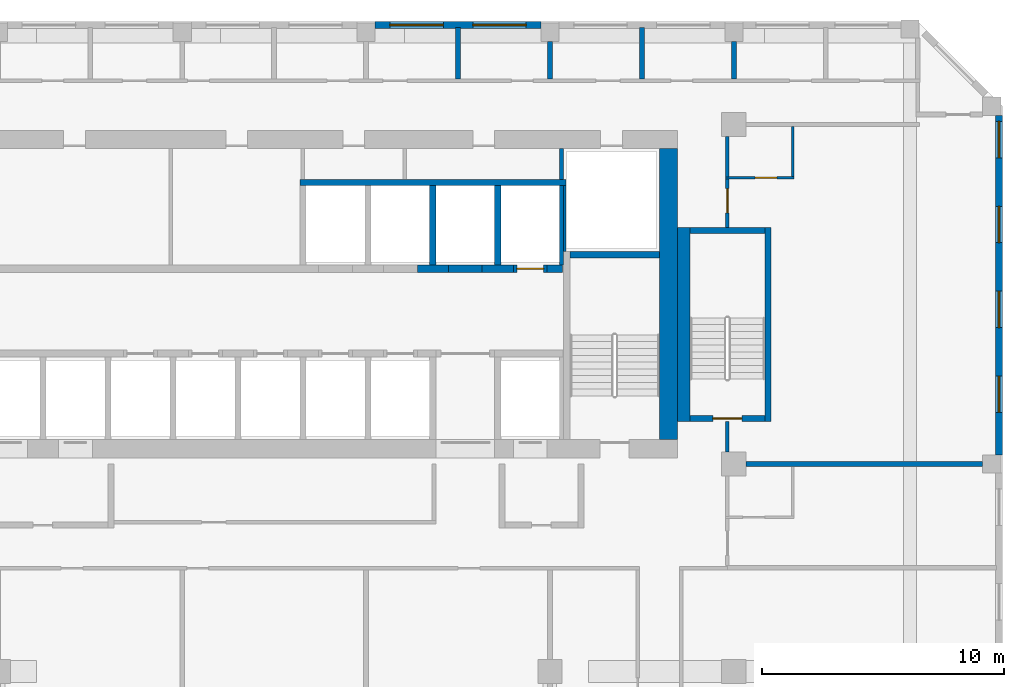
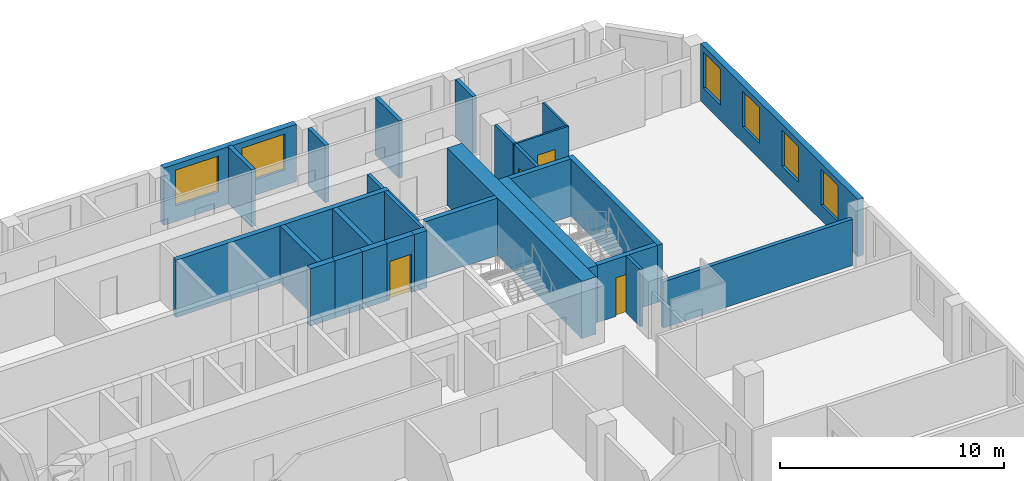
# One storey, part 10 of 16: 29 walls, 6 windows, 4 doors, 10 openings.
"""IFC4 building model written with IfcOpenShell, lengths in metres."""

from ifc_helpers import new_model, si_unit, direction, frame, frame_2d, origin, place, context, subcontext, project, spatial, rectangle, extrude, source, transform, mapped, material, layer, layer_set, type_object, element, fill, save


model = new_model("IFC4")

# Units and contexts
model_context = context("Model", 3, precision=1e-05, world=origin(), true_north=direction((0.0, 1.0)))
body_context = subcontext(model_context, "Body", "Model", "MODEL_VIEW")
ifc_project = project(units=[si_unit("LENGTHUNIT", "METRE"), si_unit("AREAUNIT", "SQUARE_METRE"), si_unit("VOLUMEUNIT", "CUBIC_METRE"), si_unit("PLANEANGLEUNIT", "RADIAN"), si_unit("MASSUNIT", "GRAM", prefix="KILO")], contexts=[model_context])

# Site, building, storey
site_placement = place(None, origin())
site = spatial("IfcSite", under=ifc_project, at=site_placement, CompositionType="ELEMENT")
building_placement = place(site_placement, origin())
building = spatial("IfcBuilding", under=site, at=building_placement, Name="Kilnfold Tower and Market Hall", CompositionType="ELEMENT")
storey_placement = place(building_placement, frame((0.0, 0.0, 199.89990234375)))
storey = spatial("IfcBuildingStorey", under=building, at=storey_placement, Name="L48", CompositionType="ELEMENT", Elevation=199.89990234375)

# Wall, opening, door
ifc_material_1 = material(Name="Gypsum board on steel studs", Category="steel")
ifc_layer_1 = layer(ifc_material_1, 0.14990234375)
ifc_layer_set_1 = layer_set([ifc_layer_1], Name="Gypsum board on steel studs")
wall_type_1 = type_object("IfcWallType", Name="WALL CORRIDOR 150", PredefinedType="PARTITIONING", material=ifc_layer_set_1)
wall_1_placement = place(storey_placement, frame((19.89990234375, 17.75, 0.0), z_axis=(0.0, 0.0, 1.0), x_axis=(0.0, 1.0, 0.0)))
wall_1 = element("IfcWall", 1, at=wall_1_placement, inside=storey, type_object=wall_type_1, Name="Partition LY30.20", PredefinedType="PARTITIONING", context=body_context, shape_type="SweptSolid", body=[
    extrude(rectangle(XDim=2.010009765625, YDim=0.14990234375, at=frame_2d((1.0048828125, 0.0))), origin(), (0.0, 0.0, 1.0), 3.1201171875),
])
opening_1_placement = place(wall_1_placement, frame((0.60693359375, 0.0, 0.0)))
opening_1 = element("IfcOpeningElement", 2, at=opening_1_placement, cuts=wall_1, Name="Opening D1", PredefinedType="OPENING", context=body_context, shape_type="SweptSolid", body=[
    extrude(rectangle(XDim=1.0, YDim=2.10009765625, at=frame_2d((0.5, 1.050048828125))), frame((0.0, 0.0849609375, 0.0), z_axis=(0.0, -1.0, 0.0), x_axis=(1.0, 0.0, 0.0)), (0.0, 0.0, 1.0), 0.169921875),
])
ifc_material_2 = material(Name="Timber veneer door leaf in steel frame", Category="steel")
door_type_1 = type_object("IfcDoorType", Name="DOOR ENTRY 1000 X2100", OperationType="NOTDEFINED", PredefinedType="DOOR", material=ifc_material_2)
door_1_placement = place(opening_1_placement, origin())
door_1 = element("IfcDoor", 3, at=door_1_placement, inside=storey, type_object=door_type_1, Name="Door D1", OperationType="SINGLE_SWING_LEFT", OverallHeight=2.10009765625, OverallWidth=1.0, PredefinedType="DOOR", context=body_context, shape_type="SweptSolid", body=[
    extrude(rectangle(XDim=1.0, YDim=2.10009765625, at=frame_2d((0.5, 1.050048828125))), frame((0.0, 0.02490234375, 0.0), z_axis=(0.0, -1.0, 0.0), x_axis=(1.0, 0.0, 0.0)), (0.0, 0.0, 1.0), 0.050048828125),
])
fill(opening_1, door_1)

# Walls
wall_2_placement = place(storey_placement, frame((19.89990234375, 8.5, 0.0), z_axis=(0.0, 0.0, 1.0), x_axis=(0.0, 1.0, 0.0)))
element("IfcWall", 4, at=wall_2_placement, inside=storey, type_object=wall_type_1, Name="Partition LY30.21", PredefinedType="PARTITIONING", context=body_context, shape_type="SweptSolid", body=[
    extrude(rectangle(XDim=1.25, YDim=0.14990234375, at=frame_2d((0.625, 0.0))), origin(), (0.0, 0.0, 1.0), 3.1201171875),
])
wall_3_placement = place(storey_placement, frame((19.89990234375, 19.840087890625, 0.0), z_axis=(0.0, 0.0, 1.0), x_axis=(0.0, 1.0, 0.0)))
element("IfcWall", 5, at=wall_3_placement, inside=storey, type_object=wall_type_1, Name="Partition LY30.23", PredefinedType="PARTITIONING", context=body_context, shape_type="SweptSolid", body=[
    extrude(rectangle(XDim=1.659912109375, YDim=0.14990234375, at=frame_2d((0.830078125, 0.0))), origin(), (0.0, 0.0, 1.0), 3.1201171875),
])

# Wall, opening, door
ifc_material_3 = material(Name="Gypsum board on steel studs", Category="steel")
ifc_layer_2 = layer(ifc_material_3, 0.10009765625)
ifc_layer_set_2 = layer_set([ifc_layer_2], Name="Gypsum board on steel studs")
wall_type_2 = type_object("IfcWallType", Name="WALL PARTITION 100", PredefinedType="PARTITIONING", material=ifc_layer_set_2)
wall_4_placement = place(storey_placement, frame((22.652099609375, 19.800048828125, 0.0), z_axis=(0.0, 0.0, 1.0), x_axis=(-1.0, 0.0, 0.0)))
wall_4 = element("IfcWall", 6, at=wall_4_placement, inside=storey, type_object=wall_type_2, Name="Partition LY30.93", PredefinedType="PARTITIONING", context=body_context, shape_type="SweptSolid", body=[
    extrude(rectangle(XDim=2.8251953125, YDim=0.10009765625, at=frame_2d((1.41259765625, 0.0))), origin(), (0.0, 0.0, 1.0), 3.1201171875),
])
opening_2_placement = place(wall_4_placement, frame((0.7080078125, 0.0, 0.0)))
opening_2 = element("IfcOpeningElement", 7, at=opening_2_placement, cuts=wall_4, Name="Opening D3", PredefinedType="OPENING", context=body_context, shape_type="SweptSolid", body=[
    extrude(rectangle(XDim=0.89990234375, YDim=2.10009765625, at=frame_2d((0.449951171875, 1.050048828125))), frame((0.0, 0.06005859375, 0.0), z_axis=(0.0, -1.0, 0.0), x_axis=(1.0, 0.0, 0.0)), (0.0, 0.0, 1.0), 0.1201171875),
])
ifc_material_4 = material(Name="Timber veneer door leaf in steel frame", Category="steel")
door_type_2 = type_object("IfcDoorType", Name="DOOR WC 900 X2100", OperationType="NOTDEFINED", PredefinedType="DOOR", material=ifc_material_4)
door_2_placement = place(opening_2_placement, origin())
door_2 = element("IfcDoor", 8, at=door_2_placement, inside=storey, type_object=door_type_2, Name="Door D3", OperationType="SINGLE_SWING_RIGHT", OverallHeight=2.10009765625, OverallWidth=0.89990234375, PredefinedType="DOOR", context=body_context, shape_type="SweptSolid", body=[
    extrude(rectangle(XDim=0.89990234375, YDim=2.10009765625, at=frame_2d((0.449951171875, 1.050048828125))), frame((0.0, 0.02490234375, 0.0), z_axis=(0.0, -1.0, 0.0), x_axis=(1.0, 0.0, 0.0)), (0.0, 0.0, 1.0), 0.050048828125),
])
fill(opening_2, door_2)

# Walls
wall_5_placement = place(storey_placement, frame((22.60205078125, 19.85009765625, 0.0), z_axis=(0.0, 0.0, 1.0), x_axis=(0.0, 1.0, 0.0)))
element("IfcWall", 9, at=wall_5_placement, inside=storey, type_object=wall_type_2, Name="Partition LY30.94", PredefinedType="PARTITIONING", context=body_context, shape_type="SweptSolid", body=[
    extrude(rectangle(XDim=2.072998046875, YDim=0.10009765625, at=frame_2d((1.03662109375, 0.0))), origin(), (0.0, 0.0, 1.0), 3.1201171875),
])
ifc_material_5 = material(Name="Gypsum board on steel studs", Category="steel")
ifc_layer_3 = layer(ifc_material_5, 0.199951171875)
ifc_layer_set_3 = layer_set([ifc_layer_3], Name="Gypsum board on steel studs")
wall_type_3 = type_object("IfcWallType", Name="WALL PARTY 200", PredefinedType="PARTITIONING", material=ifc_layer_set_3)
wall_6_placement = place(storey_placement, frame((20.6669921875, 8.0, 0.0), z_axis=(0.0, 0.0, 1.0), x_axis=(1.0, 0.0, 0.0)))
element("IfcWall", 10, at=wall_6_placement, inside=storey, type_object=wall_type_3, Name="Partition LY30.92", PredefinedType="PARTITIONING", context=body_context, shape_type="SweptSolid", body=[
    extrude(rectangle(XDim=9.758056640625, YDim=0.199951171875, at=frame_2d((4.87890625, 0.0))), origin(), (0.0, 0.0, 1.0), 2.52001953125),
])
wall_7_placement = place(storey_placement, frame((8.791015625, 23.876953125, 0.0), z_axis=(0.0, 0.0, 1.0), x_axis=(0.0, 1.0, 0.0)))
element("IfcWall", 11, at=wall_7_placement, inside=storey, type_object=wall_type_3, Name="Partition LY30.105", PredefinedType="PARTITIONING", context=body_context, shape_type="SweptSolid", body=[
    extrude(rectangle(XDim=2.123046875, YDim=0.199951171875, at=frame_2d((1.0615234375, 0.0))), origin(), (0.0, 0.0, 1.0), 3.1201171875),
])
wall_8_placement = place(storey_placement, frame((12.5830078125, 23.876953125, 0.0), z_axis=(0.0, 0.0, 1.0), x_axis=(0.0, 1.0, 0.0)))
element("IfcWall", 12, at=wall_8_placement, inside=storey, type_object=wall_type_3, Name="Partition LY30.106", PredefinedType="PARTITIONING", context=body_context, shape_type="SweptSolid", body=[
    extrude(rectangle(XDim=1.548095703125, YDim=0.199951171875, at=frame_2d((0.77392578125, 0.0))), origin(), (0.0, 0.0, 1.0), 3.1201171875),
])
wall_9_placement = place(storey_placement, frame((16.375, 23.876953125, 0.0), z_axis=(0.0, 0.0, 1.0), x_axis=(0.0, 1.0, 0.0)))
element("IfcWall", 13, at=wall_9_placement, inside=storey, type_object=wall_type_3, Name="Partition LY30.107", PredefinedType="PARTITIONING", context=body_context, shape_type="SweptSolid", body=[
    extrude(rectangle(XDim=2.123046875, YDim=0.199951171875, at=frame_2d((1.0615234375, 0.0))), origin(), (0.0, 0.0, 1.0), 3.1201171875),
])
wall_10_placement = place(storey_placement, frame((20.1669921875, 23.876953125, 0.0), z_axis=(0.0, 0.0, 1.0), x_axis=(0.0, 1.0, 0.0)))
element("IfcWall", 14, at=wall_10_placement, inside=storey, type_object=wall_type_3, Name="Partition LY30.108", PredefinedType="PARTITIONING", context=body_context, shape_type="SweptSolid", body=[
    extrude(rectangle(XDim=1.548095703125, YDim=0.199951171875, at=frame_2d((0.77392578125, 0.0))), origin(), (0.0, 0.0, 1.0), 3.1201171875),
])
ifc_material_6 = material(Name="Concrete C60", Category="concrete")
ifc_layer_4 = layer(ifc_material_6, 0.25)
ifc_layer_set_4 = layer_set([ifc_layer_4], Name="Concrete C60")
wall_type_4 = type_object("IfcWallType", Name="CORE WALL 250 C60", PredefinedType="SHEAR", material=ifc_layer_set_4)
shared_shape_1 = source(origin(), body_context, "Body", "SweptSolid", [
    extrude(rectangle(XDim=3.7001953125, YDim=0.25, at=frame_2d((1.85009765625, 0.0))), origin(), (0.0, 0.0, 1.0), 3.1201171875),
])
wall_11_placement = place(storey_placement, frame((13.39990234375, 16.625, 0.0), z_axis=(0.0, 0.0, 1.0), x_axis=(1.0, 0.0, 0.0)))
element("IfcWall", 15, at=wall_11_placement, inside=storey, type_object=wall_type_4, Name="Stair enclosure ST2", PredefinedType="SHEAR", context=body_context, shape_type="MappedRepresentation", body=[
    mapped(shared_shape_1, transform((0.0, 0.0, 0.0))),
])
shared_shape_2 = source(origin(), body_context, "Body", "SweptSolid", [
    extrude(rectangle(XDim=8.0, YDim=0.25, at=frame_2d((4.0, 0.0))), origin(), (0.0, 0.0, 1.0), 3.1201171875),
])
wall_12_placement = place(storey_placement, frame((21.574951171875, 9.75, 0.0), z_axis=(0.0, 0.0, 1.0), x_axis=(0.0, 1.0, 0.0)))
element("IfcWall", 16, at=wall_12_placement, inside=storey, type_object=wall_type_4, Name="Stair enclosure ST5", PredefinedType="SHEAR", context=body_context, shape_type="MappedRepresentation", body=[
    mapped(shared_shape_2, transform((0.0, 0.0, 0.0))),
])

# Wall, opening, door
shared_shape_3 = source(origin(), body_context, "Body", "SweptSolid", [
    extrude(rectangle(XDim=3.099853515625, YDim=0.25, at=frame_2d((1.5498046875, 0.0))), origin(), (0.0, 0.0, 1.0), 3.1201171875),
])
wall_13_placement = place(storey_placement, frame((18.35009765625, 9.875, 0.0), z_axis=(0.0, 0.0, 1.0), x_axis=(1.0, 0.0, 0.0)))
wall_13 = element("IfcWall", 17, at=wall_13_placement, inside=storey, type_object=wall_type_4, Name="Stair enclosure ST5", PredefinedType="SHEAR", context=body_context, shape_type="MappedRepresentation", body=[
    mapped(shared_shape_3, transform((0.0, 0.0, 0.0))),
])
opening_3_placement = place(wall_13_placement, frame((0.949951171875, 0.0, 0.0)))
opening_3 = element("IfcOpeningElement", 18, at=opening_3_placement, cuts=wall_13, Name="Opening SD1", PredefinedType="OPENING", context=body_context, shape_type="SweptSolid", body=[
    extrude(rectangle(XDim=1.199951171875, YDim=2.10009765625, at=frame_2d((0.60009765625, 1.050048828125))), frame((0.0, 0.135009765625, 0.0), z_axis=(0.0, -1.0, 0.0), x_axis=(1.0, 0.0, 0.0)), (0.0, 0.0, 1.0), 0.27001953125),
])
ifc_material_7 = material(Name="Steel door set with fire-resisting leaf", Category="steel")
door_type_3 = type_object("IfcDoorType", Name="STAIR FLOOR DOOR 1200X2100", OperationType="NOTDEFINED", PredefinedType="DOOR", material=ifc_material_7)
door_3_placement = place(opening_3_placement, origin())
door_3 = element("IfcDoor", 19, at=door_3_placement, inside=storey, type_object=door_type_3, Name="Exit stair ST5 door", OperationType="DOUBLE_DOOR_SINGLE_SWING", OverallHeight=2.10009765625, OverallWidth=1.199951171875, PredefinedType="DOOR", context=body_context, shape_type="SweptSolid", body=[
    extrude(rectangle(XDim=1.199951171875, YDim=2.10009765625, at=frame_2d((0.60009765625, 1.050048828125))), frame((0.0, 0.02490234375, 0.0), z_axis=(0.0, -1.0, 0.0), x_axis=(1.0, 0.0, 0.0)), (0.0, 0.0, 1.0), 0.050048828125),
])
fill(opening_3, door_3)

# Walls
wall_14_placement = place(storey_placement, frame((18.35009765625, 17.625, 0.0), z_axis=(0.0, 0.0, 1.0), x_axis=(1.0, 0.0, 0.0)))
element("IfcWall", 20, at=wall_14_placement, inside=storey, type_object=wall_type_4, Name="Stair enclosure ST5", PredefinedType="SHEAR", context=body_context, shape_type="MappedRepresentation", body=[
    mapped(shared_shape_3, transform((0.0, 0.0, 0.0))),
])
ifc_material_8 = material(Name="Concrete C60", Category="concrete")
ifc_layer_5 = layer(ifc_material_8, 0.300048828125)
ifc_layer_set_5 = layer_set([ifc_layer_5], Name="Concrete C60")
wall_type_5 = type_object("IfcWallType", Name="CORE WALL 300 C60", PredefinedType="SHEAR", material=ifc_layer_set_5)
shared_shape_4 = source(origin(), body_context, "Body", "SweptSolid", [
    extrude(rectangle(XDim=1.280029296875, YDim=0.300048828125, at=frame_2d((0.64013671875, 0.0))), origin(), (0.0, 0.0, 1.0), 3.1201171875),
])
wall_15_placement = place(storey_placement, frame((9.7900390625, 16.050048828125, 0.0), z_axis=(0.0, 0.0, 1.0), x_axis=(1.0, 0.0, 0.0)))
element("IfcWall", 21, at=wall_15_placement, inside=storey, type_object=wall_type_5, Name="Core spine wall", PredefinedType="SHEAR", context=body_context, shape_type="MappedRepresentation", body=[
    mapped(shared_shape_4, transform((0.0, 0.0, 0.0))),
])
shared_shape_5 = source(origin(), body_context, "Body", "SweptSolid", [
    extrude(rectangle(XDim=1.27978515625, YDim=0.300048828125, at=frame_2d((0.639892578125, 0.0))), origin(), (0.0, 0.0, 1.0), 3.1201171875),
])
wall_16_placement = place(storey_placement, frame((7.110107421875, 16.050048828125, 0.0), z_axis=(0.0, 0.0, 1.0), x_axis=(1.0, 0.0, 0.0)))
element("IfcWall", 22, at=wall_16_placement, inside=storey, type_object=wall_type_5, Name="Core spine wall", PredefinedType="SHEAR", context=body_context, shape_type="MappedRepresentation", body=[
    mapped(shared_shape_5, transform((0.0, 0.0, 0.0))),
])
shared_shape_6 = source(origin(), body_context, "Body", "SweptSolid", [
    extrude(rectangle(XDim=0.64013671875, YDim=0.300048828125, at=frame_2d((0.320068359375, 0.0))), origin(), (0.0, 0.0, 1.0), 3.1201171875),
])
wall_17_placement = place(storey_placement, frame((12.469970703125, 16.050048828125, 0.0), z_axis=(0.0, 0.0, 1.0), x_axis=(1.0, 0.0, 0.0)))
element("IfcWall", 23, at=wall_17_placement, inside=storey, type_object=wall_type_5, Name="Core spine wall", PredefinedType="SHEAR", context=body_context, shape_type="MappedRepresentation", body=[
    mapped(shared_shape_6, transform((0.0, 0.0, 0.0))),
])
ifc_material_9 = material(Name="Concrete C60", Category="concrete")
ifc_layer_6 = layer(ifc_material_9, 0.75)
ifc_layer_set_6 = layer_set([ifc_layer_6], Name="Concrete C60")
wall_type_6 = type_object("IfcWallType", Name="CORE WALL 750 C60", PredefinedType="SHEAR", material=ifc_layer_set_6)
shared_shape_7 = source(origin(), body_context, "Body", "SweptSolid", [
    extrude(rectangle(XDim=12.0, YDim=0.75, at=frame_2d((6.0, 0.0))), origin(), (0.0, 0.0, 1.0), 3.1201171875),
])
wall_18_placement = place(storey_placement, frame((17.47509765625, 9.0, 0.0), z_axis=(0.0, 0.0, 1.0), x_axis=(0.0, 1.0, 0.0)))
element("IfcWall", 24, at=wall_18_placement, inside=storey, type_object=wall_type_6, Name="Core outer wall east", PredefinedType="SHEAR", context=body_context, shape_type="MappedRepresentation", body=[
    mapped(shared_shape_7, transform((0.0, 0.0, 0.0))),
])
ifc_material_10 = material(Name="Concrete C60", Category="concrete")
ifc_layer_7 = layer(ifc_material_10, 0.5)
ifc_layer_set_7 = layer_set([ifc_layer_7], Name="Concrete C60")
wall_type_7 = type_object("IfcWallType", Name="CORE WALL 500 C60", PredefinedType="SHEAR", material=ifc_layer_set_7)
shared_shape_8 = source(origin(), body_context, "Body", "SweptSolid", [
    extrude(rectangle(XDim=8.0, YDim=0.5, at=frame_2d((4.0, 0.0))), origin(), (0.0, 0.0, 1.0), 3.1201171875),
])
wall_19_placement = place(storey_placement, frame((18.10009765625, 9.75, 0.0), z_axis=(0.0, 0.0, 1.0), x_axis=(0.0, 1.0, 0.0)))
element("IfcWall", 25, at=wall_19_placement, inside=storey, type_object=wall_type_7, Name="Stair enclosure ST5", PredefinedType="SHEAR", context=body_context, shape_type="MappedRepresentation", body=[
    mapped(shared_shape_8, transform((0.0, 0.0, 0.0))),
])

# Wall, openings, windows
ifc_material_11 = material(Name="Precast concrete C50/60", Category="concrete")
ifc_layer_8 = layer(ifc_material_11, 0.300048828125)
ifc_layer_set_8 = layer_set([ifc_layer_8], Name="Precast concrete C50/60")
wall_type_8 = type_object("IfcWallType", Name="PRECAST WALL 300", PredefinedType="SOLIDWALL", material=ifc_layer_set_8)
shared_shape_9 = source(origin(), body_context, "Body", "SweptSolid", [
    extrude(rectangle(XDim=6.833251953125, YDim=0.300048828125, at=frame_2d((3.41650390625, 0.0))), origin(), (0.0, 0.0, 1.0), 3.1201171875),
])
wall_20_placement = place(storey_placement, frame((12.208251953125, 26.10009765625, 0.0), z_axis=(0.0, 0.0, 1.0), x_axis=(-1.0, 0.0, 0.0)))
wall_20 = element("IfcWall", 26, at=wall_20_placement, inside=storey, type_object=wall_type_8, Name="External wall L48 N", PredefinedType="SOLIDWALL", context=body_context, shape_type="MappedRepresentation", body=[
    mapped(shared_shape_9, transform((0.0, 0.0, 0.0))),
])
opening_4_placement = place(wall_20_placement, frame((0.6083984375, 0.0, 0.85009765625)))
opening_4 = element("IfcOpeningElement", 27, at=opening_4_placement, cuts=wall_20, Name="Opening W2", PredefinedType="OPENING", context=body_context, shape_type="SweptSolid", body=[
    extrude(rectangle(XDim=2.199951171875, YDim=1.949951171875, at=frame_2d((1.10009765625, 0.97509765625))), frame((0.0, 0.16015625, 0.0), z_axis=(0.0, -1.0, 0.0), x_axis=(1.0, 0.0, 0.0)), (0.0, 0.0, 1.0), 0.320068359375),
])
opening_5_placement = place(wall_20_placement, frame((4.02490234375, 0.0, 0.85009765625)))
opening_5 = element("IfcOpeningElement", 28, at=opening_5_placement, cuts=wall_20, Name="Opening W2", PredefinedType="OPENING", context=body_context, shape_type="SweptSolid", body=[
    extrude(rectangle(XDim=2.199951171875, YDim=1.949951171875, at=frame_2d((1.10009765625, 0.97509765625))), frame((0.0, 0.16015625, 0.0), z_axis=(0.0, -1.0, 0.0), x_axis=(1.0, 0.0, 0.0)), (0.0, 0.0, 1.0), 0.320068359375),
])
ifc_material_12 = material(Name="Aluminium frame and double glazing", Category="aluminium")
window_type_1 = type_object("IfcWindowType", Name="WINDOW W2 2200X1950", PartitioningType="SINGLE_PANEL", PredefinedType="WINDOW", material=ifc_material_12)
window_1_placement = place(opening_4_placement, origin())
window_1 = element("IfcWindow", 29, at=window_1_placement, inside=storey, type_object=window_type_1, Name="Window W2 L48 N-1", OverallHeight=1.949951171875, OverallWidth=2.199951171875, PartitioningType="SINGLE_PANEL", PredefinedType="WINDOW", context=body_context, shape_type="SweptSolid", body=[
    extrude(rectangle(XDim=2.199951171875, YDim=1.949951171875, at=frame_2d((1.10009765625, 0.97509765625))), frame((0.0, 0.030029296875, 0.0), z_axis=(0.0, -1.0, 0.0), x_axis=(1.0, 0.0, 0.0)), (0.0, 0.0, 1.0), 0.06005859375),
])
fill(opening_4, window_1)
window_2_placement = place(opening_5_placement, origin())
window_2 = element("IfcWindow", 30, at=window_2_placement, inside=storey, type_object=window_type_1, Name="Window W2 L48 N-2", OverallHeight=1.949951171875, OverallWidth=2.199951171875, PartitioningType="SINGLE_PANEL", PredefinedType="WINDOW", context=body_context, shape_type="SweptSolid", body=[
    extrude(rectangle(XDim=2.199951171875, YDim=1.949951171875, at=frame_2d((1.10009765625, 0.97509765625))), frame((0.0, 0.030029296875, 0.0), z_axis=(0.0, -1.0, 0.0), x_axis=(1.0, 0.0, 0.0)), (0.0, 0.0, 1.0), 0.06005859375),
])
fill(opening_5, window_2)

shared_shape_10 = source(origin(), body_context, "Body", "SweptSolid", [
    extrude(rectangle(XDim=14.0, YDim=0.300048828125, at=frame_2d((7.0, 0.0))), origin(), (0.0, 0.0, 1.0), 3.1201171875),
])
wall_21_placement = place(storey_placement, frame((31.10009765625, 8.375, 0.0), z_axis=(0.0, 0.0, 1.0), x_axis=(0.0, 1.0, 0.0)))
wall_21 = element("IfcWall", 31, at=wall_21_placement, inside=storey, type_object=wall_type_8, Name="External wall L48 E", PredefinedType="SOLIDWALL", context=body_context, shape_type="MappedRepresentation", body=[
    mapped(shared_shape_10, transform((0.0, 0.0, 0.0))),
])
opening_6_placement = place(wall_21_placement, frame((1.75, 0.0, 0.85009765625)))
opening_6 = element("IfcOpeningElement", 32, at=opening_6_placement, cuts=wall_21, Name="Opening W4", PredefinedType="OPENING", context=body_context, shape_type="SweptSolid", body=[
    extrude(rectangle(XDim=1.5, YDim=1.949951171875, at=frame_2d((0.75, 0.97509765625))), frame((0.0, 0.16015625, 0.0), z_axis=(0.0, -1.0, 0.0), x_axis=(1.0, 0.0, 0.0)), (0.0, 0.0, 1.0), 0.320068359375),
])
opening_7_placement = place(wall_21_placement, frame((5.25, 0.0, 0.85009765625)))
opening_7 = element("IfcOpeningElement", 33, at=opening_7_placement, cuts=wall_21, Name="Opening W4", PredefinedType="OPENING", context=body_context, shape_type="SweptSolid", body=[
    extrude(rectangle(XDim=1.5, YDim=1.949951171875, at=frame_2d((0.75, 0.97509765625))), frame((0.0, 0.16015625, 0.0), z_axis=(0.0, -1.0, 0.0), x_axis=(1.0, 0.0, 0.0)), (0.0, 0.0, 1.0), 0.320068359375),
])
opening_8_placement = place(wall_21_placement, frame((8.75, 0.0, 0.85009765625)))
opening_8 = element("IfcOpeningElement", 34, at=opening_8_placement, cuts=wall_21, Name="Opening W4", PredefinedType="OPENING", context=body_context, shape_type="SweptSolid", body=[
    extrude(rectangle(XDim=1.5, YDim=1.949951171875, at=frame_2d((0.75, 0.97509765625))), frame((0.0, 0.16015625, 0.0), z_axis=(0.0, -1.0, 0.0), x_axis=(1.0, 0.0, 0.0)), (0.0, 0.0, 1.0), 0.320068359375),
])
opening_9_placement = place(wall_21_placement, frame((12.25, 0.0, 0.85009765625)))
opening_9 = element("IfcOpeningElement", 35, at=opening_9_placement, cuts=wall_21, Name="Opening W4", PredefinedType="OPENING", context=body_context, shape_type="SweptSolid", body=[
    extrude(rectangle(XDim=1.5, YDim=1.949951171875, at=frame_2d((0.75, 0.97509765625))), frame((0.0, 0.16015625, 0.0), z_axis=(0.0, -1.0, 0.0), x_axis=(1.0, 0.0, 0.0)), (0.0, 0.0, 1.0), 0.320068359375),
])
ifc_material_13 = material(Name="Aluminium frame and double glazing", Category="aluminium")
window_type_2 = type_object("IfcWindowType", Name="WINDOW W4 1500X1950", PartitioningType="SINGLE_PANEL", PredefinedType="WINDOW", material=ifc_material_13)
window_3_placement = place(opening_6_placement, origin())
window_3 = element("IfcWindow", 36, at=window_3_placement, inside=storey, type_object=window_type_2, Name="Window W4 L48 E-1", OverallHeight=1.949951171875, OverallWidth=1.5, PartitioningType="SINGLE_PANEL", PredefinedType="WINDOW", context=body_context, shape_type="SweptSolid", body=[
    extrude(rectangle(XDim=1.5, YDim=1.949951171875, at=frame_2d((0.75, 0.97509765625))), frame((0.0, 0.030029296875, 0.0), z_axis=(0.0, -1.0, 0.0), x_axis=(1.0, 0.0, 0.0)), (0.0, 0.0, 1.0), 0.06005859375),
])
fill(opening_6, window_3)
window_4_placement = place(opening_7_placement, origin())
window_4 = element("IfcWindow", 37, at=window_4_placement, inside=storey, type_object=window_type_2, Name="Window W4 L48 E-2", OverallHeight=1.949951171875, OverallWidth=1.5, PartitioningType="SINGLE_PANEL", PredefinedType="WINDOW", context=body_context, shape_type="SweptSolid", body=[
    extrude(rectangle(XDim=1.5, YDim=1.949951171875, at=frame_2d((0.75, 0.97509765625))), frame((0.0, 0.030029296875, 0.0), z_axis=(0.0, -1.0, 0.0), x_axis=(1.0, 0.0, 0.0)), (0.0, 0.0, 1.0), 0.06005859375),
])
fill(opening_7, window_4)
window_5_placement = place(opening_8_placement, origin())
window_5 = element("IfcWindow", 38, at=window_5_placement, inside=storey, type_object=window_type_2, Name="Window W4 L48 E-3", OverallHeight=1.949951171875, OverallWidth=1.5, PartitioningType="SINGLE_PANEL", PredefinedType="WINDOW", context=body_context, shape_type="SweptSolid", body=[
    extrude(rectangle(XDim=1.5, YDim=1.949951171875, at=frame_2d((0.75, 0.97509765625))), frame((0.0, 0.030029296875, 0.0), z_axis=(0.0, -1.0, 0.0), x_axis=(1.0, 0.0, 0.0)), (0.0, 0.0, 1.0), 0.06005859375),
])
fill(opening_8, window_5)
window_6_placement = place(opening_9_placement, origin())
window_6 = element("IfcWindow", 39, at=window_6_placement, inside=storey, type_object=window_type_2, Name="Window W4 L48 E-4", OverallHeight=1.949951171875, OverallWidth=1.5, PartitioningType="SINGLE_PANEL", PredefinedType="WINDOW", context=body_context, shape_type="SweptSolid", body=[
    extrude(rectangle(XDim=1.5, YDim=1.949951171875, at=frame_2d((0.75, 0.97509765625))), frame((0.0, 0.030029296875, 0.0), z_axis=(0.0, -1.0, 0.0), x_axis=(1.0, 0.0, 0.0)), (0.0, 0.0, 1.0), 0.06005859375),
])
fill(opening_9, window_6)

# Wall, opening, door
ifc_material_14 = material(Name="Gypsum shaft wall system")
ifc_layer_9 = layer(ifc_material_14, 0.300048828125)
ifc_layer_set_9 = layer_set([ifc_layer_9], Name="Gypsum shaft wall system")
wall_type_9 = type_object("IfcWallType", Name="SHAFT WALL 300", PredefinedType="PARTITIONING", material=ifc_layer_set_9)
shared_shape_11 = source(origin(), body_context, "Body", "SweptSolid", [
    extrude(rectangle(XDim=1.39990234375, YDim=0.300048828125, at=frame_2d((0.699951171875, 0.0))), origin(), (0.0, 0.0, 1.0), 3.1201171875),
])
wall_22_placement = place(storey_placement, frame((11.070068359375, 16.050048828125, 0.0), z_axis=(0.0, 0.0, 1.0), x_axis=(1.0, 0.0, 0.0)))
wall_22 = element("IfcWall", 40, at=wall_22_placement, inside=storey, type_object=wall_type_9, Name="Lift shaft front wall", PredefinedType="PARTITIONING", context=body_context, shape_type="MappedRepresentation", body=[
    mapped(shared_shape_11, transform((0.0, 0.0, 0.0))),
])
opening_10_placement = place(wall_22_placement, frame((0.14990234375, 0.0, 0.0)))
opening_10 = element("IfcOpeningElement", 41, at=opening_10_placement, cuts=wall_22, Name="Opening LD2", PredefinedType="OPENING", context=body_context, shape_type="SweptSolid", body=[
    extrude(rectangle(XDim=1.10009765625, YDim=2.10009765625, at=frame_2d((0.550048828125, 1.050048828125))), frame((0.0, 0.16015625, 0.0), z_axis=(0.0, -1.0, 0.0), x_axis=(1.0, 0.0, 0.0)), (0.0, 0.0, 1.0), 0.320068359375),
])
ifc_material_15 = material(Name="Steel door set with fire-resisting leaf", Category="steel")
door_type_4 = type_object("IfcDoorType", Name="LANDING DOOR 1100X2100", OperationType="NOTDEFINED", PredefinedType="DOOR", material=ifc_material_15)
door_4_placement = place(opening_10_placement, origin())
door_4 = element("IfcDoor", 42, at=door_4_placement, inside=storey, type_object=door_type_4, Name="Landing door MR6", OperationType="DOUBLE_DOOR_SLIDING", OverallHeight=2.10009765625, OverallWidth=1.10009765625, PredefinedType="DOOR", context=body_context, shape_type="SweptSolid", body=[
    extrude(rectangle(XDim=1.10009765625, YDim=2.10009765625, at=frame_2d((0.550048828125, 1.050048828125))), frame((0.0, 0.02490234375, 0.0), z_axis=(0.0, -1.0, 0.0), x_axis=(1.0, 0.0, 0.0)), (0.0, 0.0, 1.0), 0.050048828125),
])
fill(opening_10, door_4)

# Walls
shared_shape_12 = source(origin(), body_context, "Body", "SweptSolid", [
    extrude(rectangle(XDim=1.400146484375, YDim=0.300048828125, at=frame_2d((0.7001953125, 0.0))), origin(), (0.0, 0.0, 1.0), 3.1201171875),
])
wall_23_placement = place(storey_placement, frame((8.389892578125, 16.050048828125, 0.0), z_axis=(0.0, 0.0, 1.0), x_axis=(1.0, 0.0, 0.0)))
element("IfcWall", 43, at=wall_23_placement, inside=storey, type_object=wall_type_9, Name="Lift shaft front wall", PredefinedType="PARTITIONING", context=body_context, shape_type="MappedRepresentation", body=[
    mapped(shared_shape_12, transform((0.0, 0.0, 0.0))),
])
ifc_material_16 = material(Name="Gypsum shaft wall system")
ifc_layer_10 = layer(ifc_material_16, 0.1650390625)
ifc_layer_set_10 = layer_set([ifc_layer_10], Name="Gypsum shaft wall system")
wall_type_10 = type_object("IfcWallType", Name="SHAFT WALL 165", PredefinedType="PARTITIONING", material=ifc_layer_set_10)
shared_shape_13 = source(origin(), body_context, "Body", "SweptSolid", [
    extrude(rectangle(XDim=3.275146484375, YDim=0.1650390625, at=frame_2d((1.6376953125, 0.0))), origin(), (0.0, 0.0, 1.0), 3.1201171875),
])
wall_24_placement = place(storey_placement, frame((13.0673828125, 16.199951171875, 0.0), z_axis=(0.0, 0.0, 1.0), x_axis=(0.0, 1.0, 0.0)))
element("IfcWall", 44, at=wall_24_placement, inside=storey, type_object=wall_type_10, Name="Lift shaft wall", PredefinedType="PARTITIONING", context=body_context, shape_type="MappedRepresentation", body=[
    mapped(shared_shape_13, transform((0.0, 0.0, 0.0))),
])
shared_shape_14 = source(origin(), body_context, "Body", "SweptSolid", [
    extrude(rectangle(XDim=1.27490234375, YDim=0.1650390625, at=frame_2d((0.637451171875, 0.0))), origin(), (0.0, 0.0, 1.0), 3.1201171875),
])
wall_25_placement = place(storey_placement, frame((13.0673828125, 19.72509765625, 0.0), z_axis=(0.0, 0.0, 1.0), x_axis=(0.0, 1.0, 0.0)))
element("IfcWall", 45, at=wall_25_placement, inside=storey, type_object=wall_type_10, Name="Lift shaft wall", PredefinedType="PARTITIONING", context=body_context, shape_type="MappedRepresentation", body=[
    mapped(shared_shape_14, transform((0.0, 0.0, 0.0))),
])
ifc_material_17 = material(Name="Gypsum shaft wall system")
ifc_layer_11 = layer(ifc_material_17, 0.25)
ifc_layer_set_11 = layer_set([ifc_layer_11], Name="Gypsum shaft wall system")
wall_type_11 = type_object("IfcWallType", Name="SHAFT WALL 250", PredefinedType="PARTITIONING", material=ifc_layer_set_11)
shared_shape_15 = source(origin(), body_context, "Body", "SweptSolid", [
    extrude(rectangle(XDim=3.275146484375, YDim=0.25, at=frame_2d((1.6376953125, 0.0))), origin(), (0.0, 0.0, 1.0), 3.1201171875),
])
for number, where, z_axis, x_axis, name in (
    (46, (10.429931640625, 16.199951171875, 0.0), (0.0, 0.0, 1.0), (0.0, 1.0, 0.0), "Lift shaft wall"),
    (47, (7.75, 16.199951171875, 0.0), (0.0, 0.0, 1.0), (0.0, 1.0, 0.0), "Lift shaft wall"),
):
    element("IfcWall", number, at=place(storey_placement, frame(where, z_axis=z_axis, x_axis=x_axis)), inside=storey, type_object=wall_type_11, Name=name, PredefinedType="PARTITIONING", context=body_context, shape_type="MappedRepresentation", body=[
        mapped(shared_shape_15, transform((0.0, 0.0, 0.0))),
    ])
ifc_material_18 = material(Name="Gypsum shaft wall system")
ifc_layer_12 = layer(ifc_material_18, 0.0849609375)
ifc_layer_set_12 = layer_set([ifc_layer_12], Name="Gypsum shaft wall system")
wall_type_12 = type_object("IfcWallType", Name="SHAFT WALL 85", PredefinedType="PARTITIONING", material=ifc_layer_set_12)
shared_shape_16 = source(origin(), body_context, "Body", "SweptSolid", [
    extrude(rectangle(XDim=2.72509765625, YDim=0.0849609375, at=frame_2d((1.362548828125, 0.0))), origin(), (0.0, 0.0, 1.0), 3.1201171875),
])
wall_26_placement = place(storey_placement, frame((13.1923828125, 16.75, 0.0), z_axis=(0.0, 0.0, 1.0), x_axis=(0.0, 1.0, 0.0)))
element("IfcWall", 48, at=wall_26_placement, inside=storey, type_object=wall_type_12, Name="Lift shaft wall", PredefinedType="PARTITIONING", context=body_context, shape_type="MappedRepresentation", body=[
    mapped(shared_shape_16, transform((0.0, 0.0, 0.0))),
])
shared_shape_17 = source(origin(), body_context, "Body", "SweptSolid", [
    extrude(rectangle(XDim=10.97021484375, YDim=0.25, at=frame_2d((5.485107421875, 0.0))), origin(), (0.0, 0.0, 1.0), 3.1201171875),
])
wall_27_placement = place(storey_placement, frame((2.264892578125, 19.60009765625, 0.0), z_axis=(0.0, 0.0, 1.0), x_axis=(1.0, 0.0, 0.0)))
element("IfcWall", 49, at=wall_27_placement, inside=storey, type_object=wall_type_11, Name="Lift shaft wall", PredefinedType="PARTITIONING", context=body_context, shape_type="MappedRepresentation", body=[
    mapped(shared_shape_17, transform((0.0, 0.0, 0.0))),
])

save(model, "model.ifc")
